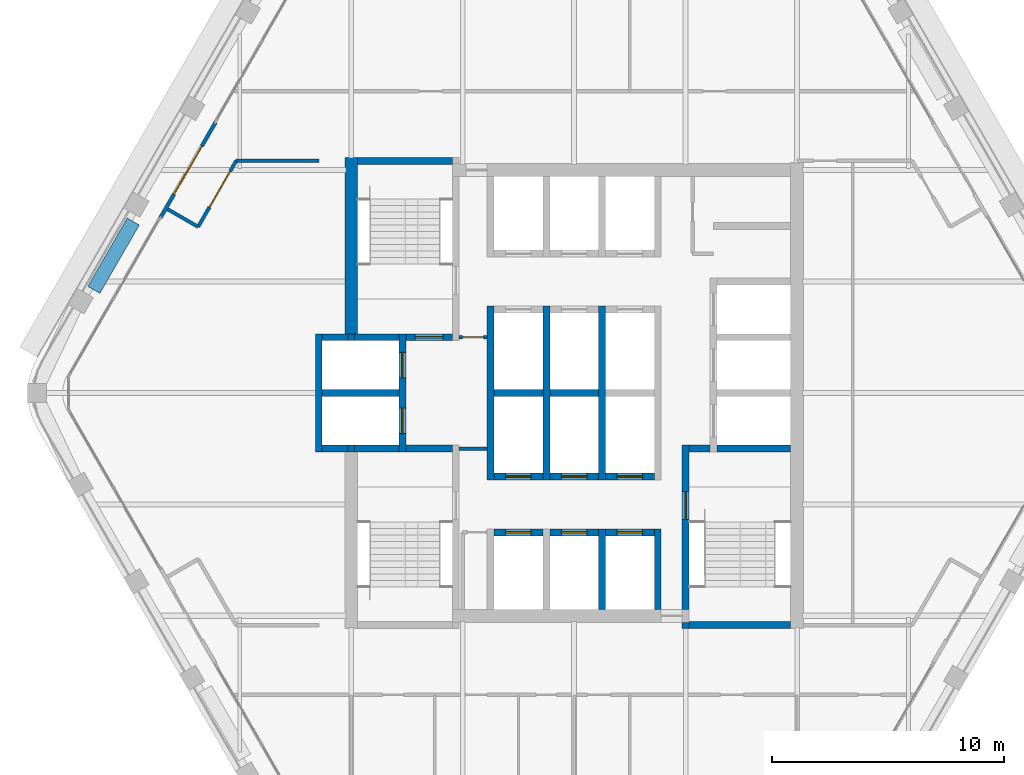
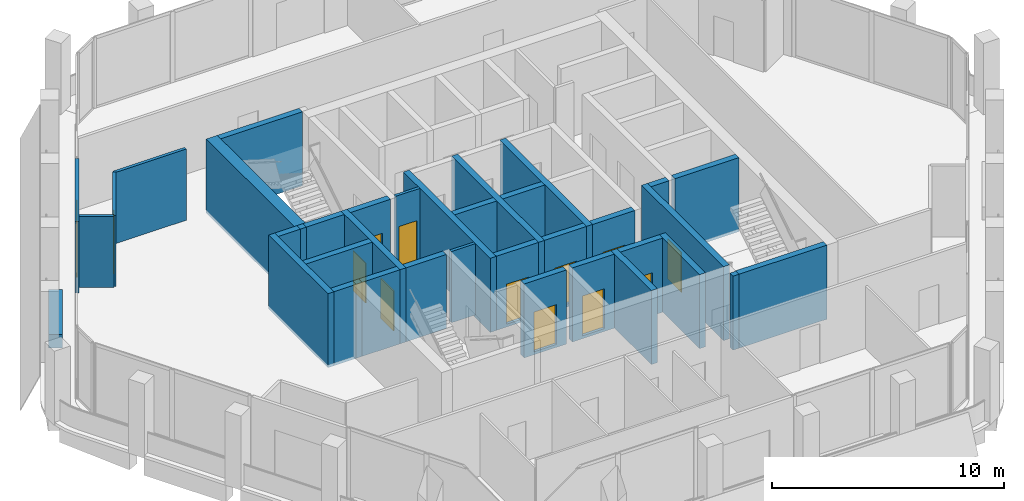
# One storey, part 8 of 13: 38 walls, 13 doors, 13 openings.
"""IFC4 building model written with IfcOpenShell, lengths in metres."""

from ifc_helpers import new_model, si_unit, direction, frame, frame_2d, origin, place, context, subcontext, project, spatial, rectangle, extrude, material, layer, layer_set, type_object, element, fill, save


model = new_model("IFC4")

# Units and contexts
model_context = context("Model", 3, precision=1e-05, world=origin(), true_north=direction((0.0, 1.0)))
body_context = subcontext(model_context, "Body", "Model", "MODEL_VIEW")
ifc_project = project(units=[si_unit("LENGTHUNIT", "METRE"), si_unit("AREAUNIT", "SQUARE_METRE"), si_unit("VOLUMEUNIT", "CUBIC_METRE"), si_unit("PLANEANGLEUNIT", "RADIAN"), si_unit("MASSUNIT", "GRAM", prefix="KILO")], contexts=[model_context])

# Site, building, storey
site_placement = place(None, origin())
site = spatial("IfcSite", under=ifc_project, at=site_placement, CompositionType="ELEMENT")
building_placement = place(site_placement, origin())
building = spatial("IfcBuilding", under=site, at=building_placement, Name="Kolab Exchange Tower", CompositionType="ELEMENT")
storey_placement = place(building_placement, frame((0.0, 0.0, 277.39990234375)))
storey = spatial("IfcBuildingStorey", under=building, at=storey_placement, Name="L62", CompositionType="ELEMENT", Elevation=277.39990234375)

# Wall
ifc_material_1 = material(Name="Concrete C50/60", Category="concrete")
ifc_layer_1 = layer(ifc_material_1, 0.550048828125)
ifc_layer_set_1 = layer_set([ifc_layer_1], Name="Concrete C50/60")
wall_type_1 = type_object("IfcWallType", Name="CORE WALL 550 C50/60", PredefinedType="SHEAR", material=ifc_layer_set_1)
wall_1_placement = place(storey_placement, frame((-9.60009765625, 2.550048828125, -0.14990234375), z_axis=(0.0, 0.0, 1.0), x_axis=(0.0, 1.0, 0.0)))
element("IfcWall", 1, at=wall_1_placement, inside=storey, type_object=wall_type_1, Name="wall/L62/core/037", PredefinedType="SHEAR", context=body_context, shape_type="SweptSolid", body=[
    extrude(rectangle(XDim=7.599853515625, YDim=0.550048828125, at=frame_2d((3.7998046875, 0.0))), origin(), (0.0, 0.0, 1.0), 3.89990234375),
])

# Wall, opening, door
ifc_material_2 = material(Name="Aluminium EN AW-6063 T6", Category="aluminium")
ifc_layer_2 = layer(ifc_material_2, 0.159912109375)
ifc_layer_set_2 = layer_set([ifc_layer_2], Name="Aluminium EN AW-6063 T6")
wall_type_2 = type_object("IfcWallType", Name="DOOR SURROUND WALL 160 ALUMINIUM FRAMED", PredefinedType="PARTITIONING", material=ifc_layer_set_2)
wall_2_placement = place(storey_placement, frame((-17.816650390625, 7.5498046875, 0.0), z_axis=(0.0, 0.0, 1.0), x_axis=(0.499978080042, 0.866038058908, 0.0)))
wall_2 = element("IfcWall", 2, at=wall_2_placement, inside=storey, type_object=wall_type_2, Name="Door surround wall", PredefinedType="PARTITIONING", context=body_context, shape_type="SweptSolid", body=[
    extrude(rectangle(XDim=4.739990234375, YDim=0.159912109375, at=frame_2d((2.3701171875, 0.0))), origin(), (0.0, 0.0, 1.0), 3.75),
])
opening_1_placement = place(wall_2_placement, frame((1.169921875, 0.0, 0.0)))
opening_1 = element("IfcOpeningElement", 3, at=opening_1_placement, cuts=wall_2, Name="Opening GD1-094", PredefinedType="OPENING", context=body_context, shape_type="SweptSolid", body=[
    extrude(rectangle(XDim=2.39990234375, YDim=2.39990234375, at=frame_2d((1.199951171875, 1.199951171875))), frame((0.0, 0.08984375, 0.0), z_axis=(0.0, -1.0, 0.0), x_axis=(1.0, 0.0, 0.0)), (0.0, 0.0, 1.0), 0.179931640625),
])
door_type_1 = type_object("IfcDoorType", Name="LOGGIA SLIDING GLASS DOOR 2400 X 2400", OperationType="DOUBLE_DOOR_SINGLE_SWING", PredefinedType="DOOR", material=ifc_material_2)
door_1_placement = place(opening_1_placement, origin())
door_1 = element("IfcDoor", 4, at=door_1_placement, inside=storey, type_object=door_type_1, Name="Loggia door", OperationType="DOUBLE_DOOR_SLIDING", OverallHeight=2.39990234375, OverallWidth=2.39990234375, PredefinedType="DOOR", context=body_context, shape_type="SweptSolid", body=[
    extrude(rectangle(XDim=2.39990234375, YDim=2.39990234375, at=frame_2d((1.199951171875, 1.199951171875))), frame((0.0, 0.02490234375, 0.0), z_axis=(0.0, -1.0, 0.0), x_axis=(1.0, 0.0, 0.0)), (0.0, 0.0, 1.0), 0.050048828125),
])
fill(opening_1, door_1)

ifc_layer_3 = layer(ifc_material_1, 0.300048828125)
ifc_layer_set_3 = layer_set([ifc_layer_3], Name="Concrete C50/60")
wall_type_3 = type_object("IfcWallType", Name="LIFT SHAFT WALL 300 C50/60", PredefinedType="STANDARD", material=ifc_layer_set_3)
wall_3_placement = place(storey_placement, frame((-3.449951171875, -6.0, -0.14990234375), z_axis=(0.0, 0.0, 1.0), x_axis=(1.0, 0.0, 0.0)))
wall_3 = element("IfcWall", 5, at=wall_3_placement, inside=storey, type_object=wall_type_3, Name="wall/L62/core/003", PredefinedType="STANDARD", context=body_context, shape_type="SweptSolid", body=[
    extrude(rectangle(XDim=2.099853515625, YDim=0.300048828125, at=frame_2d((1.0498046875, 0.0))), origin(), (0.0, 0.0, 1.0), 3.89990234375),
])
opening_2_placement = place(wall_3_placement, frame((0.5, 0.0, 0.14990234375)))
opening_2 = element("IfcOpeningElement", 6, at=opening_2_placement, cuts=wall_3, Name="Opening LD1-110", PredefinedType="OPENING", context=body_context, shape_type="SweptSolid", body=[
    extrude(rectangle(XDim=1.10009765625, YDim=2.10009765625, at=frame_2d((0.550048828125, 1.050048828125))), frame((0.0, 0.16015625, 0.0), z_axis=(0.0, -1.0, 0.0), x_axis=(1.0, 0.0, 0.0)), (0.0, 0.0, 1.0), 0.320068359375),
])
ifc_material_3 = material(Name="Stainless steel 316", Category="steel")
door_type_2 = type_object("IfcDoorType", Name="LANDING DOOR 1100 PASSENGER", OperationType="DOUBLE_DOOR_SLIDING", PredefinedType="DOOR", material=ifc_material_3)
door_2_placement = place(opening_2_placement, origin())
door_2 = element("IfcDoor", 7, at=door_2_placement, inside=storey, type_object=door_type_2, Name="Landing door HR10", OperationType="DOUBLE_DOOR_SLIDING", OverallHeight=2.10009765625, OverallWidth=1.10009765625, PredefinedType="DOOR", context=body_context, shape_type="SweptSolid", body=[
    extrude(rectangle(XDim=1.10009765625, YDim=2.10009765625, at=frame_2d((0.550048828125, 1.050048828125))), frame((0.0, 0.02490234375, 0.0), z_axis=(0.0, -1.0, 0.0), x_axis=(1.0, 0.0, 0.0)), (0.0, 0.0, 1.0), 0.050048828125),
])
fill(opening_2, door_2)

wall_4_placement = place(storey_placement, frame((-1.050048828125, -6.0, -0.14990234375), z_axis=(0.0, 0.0, 1.0), x_axis=(1.0, 0.0, 0.0)))
wall_4 = element("IfcWall", 8, at=wall_4_placement, inside=storey, type_object=wall_type_3, Name="wall/L62/core/004", PredefinedType="STANDARD", context=body_context, shape_type="SweptSolid", body=[
    extrude(rectangle(XDim=2.10009765625, YDim=0.300048828125, at=frame_2d((1.050048828125, 0.0))), origin(), (0.0, 0.0, 1.0), 3.89990234375),
])
opening_3_placement = place(wall_4_placement, frame((0.5, 0.0, 0.14990234375)))
opening_3 = element("IfcOpeningElement", 9, at=opening_3_placement, cuts=wall_4, Name="Opening LD1-111", PredefinedType="OPENING", context=body_context, shape_type="SweptSolid", body=[
    extrude(rectangle(XDim=1.10009765625, YDim=2.10009765625, at=frame_2d((0.550048828125, 1.050048828125))), frame((0.0, 0.16015625, 0.0), z_axis=(0.0, -1.0, 0.0), x_axis=(1.0, 0.0, 0.0)), (0.0, 0.0, 1.0), 0.320068359375),
])
door_3_placement = place(opening_3_placement, origin())
door_3 = element("IfcDoor", 10, at=door_3_placement, inside=storey, type_object=door_type_2, Name="Landing door HR11", OperationType="DOUBLE_DOOR_SLIDING", OverallHeight=2.10009765625, OverallWidth=1.10009765625, PredefinedType="DOOR", context=body_context, shape_type="SweptSolid", body=[
    extrude(rectangle(XDim=1.10009765625, YDim=2.10009765625, at=frame_2d((0.550048828125, 1.050048828125))), frame((0.0, 0.02490234375, 0.0), z_axis=(0.0, -1.0, 0.0), x_axis=(1.0, 0.0, 0.0)), (0.0, 0.0, 1.0), 0.050048828125),
])
fill(opening_3, door_3)

wall_5_placement = place(storey_placement, frame((1.35009765625, -6.0, -0.14990234375), z_axis=(0.0, 0.0, 1.0), x_axis=(1.0, 0.0, 0.0)))
wall_5 = element("IfcWall", 11, at=wall_5_placement, inside=storey, type_object=wall_type_3, Name="wall/L62/core/005", PredefinedType="STANDARD", context=body_context, shape_type="SweptSolid", body=[
    extrude(rectangle(XDim=2.099853515625, YDim=0.300048828125, at=frame_2d((1.0498046875, 0.0))), origin(), (0.0, 0.0, 1.0), 3.89990234375),
])
opening_4_placement = place(wall_5_placement, frame((0.5, 0.0, 0.14990234375)))
opening_4 = element("IfcOpeningElement", 12, at=opening_4_placement, cuts=wall_5, Name="Opening LD1-112", PredefinedType="OPENING", context=body_context, shape_type="SweptSolid", body=[
    extrude(rectangle(XDim=1.10009765625, YDim=2.10009765625, at=frame_2d((0.550048828125, 1.050048828125))), frame((0.0, 0.16015625, 0.0), z_axis=(0.0, -1.0, 0.0), x_axis=(1.0, 0.0, 0.0)), (0.0, 0.0, 1.0), 0.320068359375),
])
door_4_placement = place(opening_4_placement, origin())
door_4 = element("IfcDoor", 13, at=door_4_placement, inside=storey, type_object=door_type_2, Name="Landing door HR12", OperationType="DOUBLE_DOOR_SLIDING", OverallHeight=2.10009765625, OverallWidth=1.10009765625, PredefinedType="DOOR", context=body_context, shape_type="SweptSolid", body=[
    extrude(rectangle(XDim=1.10009765625, YDim=2.10009765625, at=frame_2d((0.550048828125, 1.050048828125))), frame((0.0, 0.02490234375, 0.0), z_axis=(0.0, -1.0, 0.0), x_axis=(1.0, 0.0, 0.0)), (0.0, 0.0, 1.0), 0.050048828125),
])
fill(opening_4, door_4)

wall_6_placement = place(storey_placement, frame((-3.449951171875, -3.60009765625, -0.14990234375), z_axis=(0.0, 0.0, 1.0), x_axis=(1.0, 0.0, 0.0)))
wall_6 = element("IfcWall", 14, at=wall_6_placement, inside=storey, type_object=wall_type_3, Name="wall/L62/core/006", PredefinedType="STANDARD", context=body_context, shape_type="SweptSolid", body=[
    extrude(rectangle(XDim=2.099853515625, YDim=0.300048828125, at=frame_2d((1.0498046875, 0.0))), origin(), (0.0, 0.0, 1.0), 3.89990234375),
])
opening_5_placement = place(wall_6_placement, frame((0.5, 0.0, 0.14990234375)))
opening_5 = element("IfcOpeningElement", 15, at=opening_5_placement, cuts=wall_6, Name="Opening LD1-118", PredefinedType="OPENING", context=body_context, shape_type="SweptSolid", body=[
    extrude(rectangle(XDim=1.10009765625, YDim=2.10009765625, at=frame_2d((0.550048828125, 1.050048828125))), frame((0.0, 0.16015625, 0.0), z_axis=(0.0, -1.0, 0.0), x_axis=(1.0, 0.0, 0.0)), (0.0, 0.0, 1.0), 0.320068359375),
])
door_5_placement = place(opening_5_placement, origin())
door_5 = element("IfcDoor", 16, at=door_5_placement, inside=storey, type_object=door_type_2, Name="Landing door HR7", OperationType="DOUBLE_DOOR_SLIDING", OverallHeight=2.10009765625, OverallWidth=1.10009765625, PredefinedType="DOOR", context=body_context, shape_type="SweptSolid", body=[
    extrude(rectangle(XDim=1.10009765625, YDim=2.10009765625, at=frame_2d((0.550048828125, 1.050048828125))), frame((0.0, 0.02490234375, 0.0), z_axis=(0.0, -1.0, 0.0), x_axis=(1.0, 0.0, 0.0)), (0.0, 0.0, 1.0), 0.050048828125),
])
fill(opening_5, door_5)

wall_7_placement = place(storey_placement, frame((-1.050048828125, -3.60009765625, -0.14990234375), z_axis=(0.0, 0.0, 1.0), x_axis=(1.0, 0.0, 0.0)))
wall_7 = element("IfcWall", 17, at=wall_7_placement, inside=storey, type_object=wall_type_3, Name="wall/L62/core/007", PredefinedType="STANDARD", context=body_context, shape_type="SweptSolid", body=[
    extrude(rectangle(XDim=2.10009765625, YDim=0.300048828125, at=frame_2d((1.050048828125, 0.0))), origin(), (0.0, 0.0, 1.0), 3.89990234375),
])
opening_6_placement = place(wall_7_placement, frame((0.5, 0.0, 0.14990234375)))
opening_6 = element("IfcOpeningElement", 18, at=opening_6_placement, cuts=wall_7, Name="Opening LD1-119", PredefinedType="OPENING", context=body_context, shape_type="SweptSolid", body=[
    extrude(rectangle(XDim=1.10009765625, YDim=2.10009765625, at=frame_2d((0.550048828125, 1.050048828125))), frame((0.0, 0.16015625, 0.0), z_axis=(0.0, -1.0, 0.0), x_axis=(1.0, 0.0, 0.0)), (0.0, 0.0, 1.0), 0.320068359375),
])
door_6_placement = place(opening_6_placement, origin())
door_6 = element("IfcDoor", 19, at=door_6_placement, inside=storey, type_object=door_type_2, Name="Landing door HR8", OperationType="DOUBLE_DOOR_SLIDING", OverallHeight=2.10009765625, OverallWidth=1.10009765625, PredefinedType="DOOR", context=body_context, shape_type="SweptSolid", body=[
    extrude(rectangle(XDim=1.10009765625, YDim=2.10009765625, at=frame_2d((0.550048828125, 1.050048828125))), frame((0.0, 0.02490234375, 0.0), z_axis=(0.0, -1.0, 0.0), x_axis=(1.0, 0.0, 0.0)), (0.0, 0.0, 1.0), 0.050048828125),
])
fill(opening_6, door_6)

wall_8_placement = place(storey_placement, frame((1.35009765625, -3.60009765625, -0.14990234375), z_axis=(0.0, 0.0, 1.0), x_axis=(1.0, 0.0, 0.0)))
wall_8 = element("IfcWall", 20, at=wall_8_placement, inside=storey, type_object=wall_type_3, Name="wall/L62/core/008", PredefinedType="STANDARD", context=body_context, shape_type="SweptSolid", body=[
    extrude(rectangle(XDim=2.099853515625, YDim=0.300048828125, at=frame_2d((1.0498046875, 0.0))), origin(), (0.0, 0.0, 1.0), 3.89990234375),
])
opening_7_placement = place(wall_8_placement, frame((0.5, 0.0, 0.14990234375)))
opening_7 = element("IfcOpeningElement", 21, at=opening_7_placement, cuts=wall_8, Name="Opening LD1-120", PredefinedType="OPENING", context=body_context, shape_type="SweptSolid", body=[
    extrude(rectangle(XDim=1.10009765625, YDim=2.10009765625, at=frame_2d((0.550048828125, 1.050048828125))), frame((0.0, 0.16015625, 0.0), z_axis=(0.0, -1.0, 0.0), x_axis=(1.0, 0.0, 0.0)), (0.0, 0.0, 1.0), 0.320068359375),
])
door_7_placement = place(opening_7_placement, origin())
door_7 = element("IfcDoor", 22, at=door_7_placement, inside=storey, type_object=door_type_2, Name="Landing door HR9", OperationType="DOUBLE_DOOR_SLIDING", OverallHeight=2.10009765625, OverallWidth=1.10009765625, PredefinedType="DOOR", context=body_context, shape_type="SweptSolid", body=[
    extrude(rectangle(XDim=1.10009765625, YDim=2.10009765625, at=frame_2d((0.550048828125, 1.050048828125))), frame((0.0, 0.02490234375, 0.0), z_axis=(0.0, -1.0, 0.0), x_axis=(1.0, 0.0, 0.0)), (0.0, 0.0, 1.0), 0.050048828125),
])
fill(opening_7, door_7)

# Walls
wall_9_placement = place(storey_placement, frame((-10.85009765625, -2.39990234375, -0.14990234375), z_axis=(0.0, 0.0, 1.0), x_axis=(1.0, 0.0, 0.0)))
element("IfcWall", 23, at=wall_9_placement, inside=storey, type_object=wall_type_3, Name="wall/L62/core/009", PredefinedType="STANDARD", context=body_context, shape_type="SweptSolid", body=[
    extrude(rectangle(XDim=1.10009765625, YDim=0.300048828125, at=frame_2d((0.550048828125, 0.0))), origin(), (0.0, 0.0, 1.0), 3.89990234375),
])
wall_10_placement = place(storey_placement, frame((-10.85009765625, 0.0, -0.14990234375), z_axis=(0.0, 0.0, 1.0), x_axis=(1.0, 0.0, 0.0)))
element("IfcWall", 24, at=wall_10_placement, inside=storey, type_object=wall_type_3, Name="wall/L62/core/014", PredefinedType="STANDARD", context=body_context, shape_type="SweptSolid", body=[
    extrude(rectangle(XDim=3.300048828125, YDim=0.300048828125, at=frame_2d((1.64990234375, 0.0))), origin(), (0.0, 0.0, 1.0), 3.89990234375),
])
wall_11_placement = place(storey_placement, frame((-3.449951171875, 0.0, -0.14990234375), z_axis=(0.0, 0.0, 1.0), x_axis=(1.0, 0.0, 0.0)))
element("IfcWall", 25, at=wall_11_placement, inside=storey, type_object=wall_type_3, Name="wall/L62/core/015", PredefinedType="STANDARD", context=body_context, shape_type="SweptSolid", body=[
    extrude(rectangle(XDim=2.099853515625, YDim=0.300048828125, at=frame_2d((1.0498046875, 0.0))), origin(), (0.0, 0.0, 1.0), 3.89990234375),
])
wall_12_placement = place(storey_placement, frame((-1.050048828125, 0.0, -0.14990234375), z_axis=(0.0, 0.0, 1.0), x_axis=(1.0, 0.0, 0.0)))
element("IfcWall", 26, at=wall_12_placement, inside=storey, type_object=wall_type_3, Name="wall/L62/core/016", PredefinedType="STANDARD", context=body_context, shape_type="SweptSolid", body=[
    extrude(rectangle(XDim=2.10009765625, YDim=0.300048828125, at=frame_2d((1.050048828125, 0.0))), origin(), (0.0, 0.0, 1.0), 3.89990234375),
])
wall_13_placement = place(storey_placement, frame((-10.85009765625, 2.39990234375, -0.14990234375), z_axis=(0.0, 0.0, 1.0), x_axis=(1.0, 0.0, 0.0)))
element("IfcWall", 27, at=wall_13_placement, inside=storey, type_object=wall_type_3, Name="wall/L62/core/019", PredefinedType="STANDARD", context=body_context, shape_type="SweptSolid", body=[
    extrude(rectangle(XDim=1.10009765625, YDim=0.300048828125, at=frame_2d((0.550048828125, 0.0))), origin(), (0.0, 0.0, 1.0), 3.89990234375),
])
wall_14_placement = place(storey_placement, frame((-11.0, -2.550048828125, -0.14990234375), z_axis=(0.0, 0.0, 1.0), x_axis=(0.0, 1.0, 0.0)))
element("IfcWall", 28, at=wall_14_placement, inside=storey, type_object=wall_type_3, Name="wall/L62/core/033", PredefinedType="STANDARD", context=body_context, shape_type="SweptSolid", body=[
    extrude(rectangle(XDim=5.10009765625, YDim=0.300048828125, at=frame_2d((2.550048828125, 0.0))), origin(), (0.0, 0.0, 1.0), 3.89990234375),
])

# Wall, openings, doors
wall_15_placement = place(storey_placement, frame((-7.39990234375, -2.550048828125, -0.14990234375), z_axis=(0.0, 0.0, 1.0), x_axis=(0.0, 1.0, 0.0)))
wall_15 = element("IfcWall", 29, at=wall_15_placement, inside=storey, type_object=wall_type_3, Name="wall/L62/core/038", PredefinedType="STANDARD", context=body_context, shape_type="SweptSolid", body=[
    extrude(rectangle(XDim=5.10009765625, YDim=0.300048828125, at=frame_2d((2.550048828125, 0.0))), origin(), (0.0, 0.0, 1.0), 3.89990234375),
])
opening_8_placement = place(wall_15_placement, frame((0.800048828125, 0.0, 0.14990234375)))
opening_8 = element("IfcOpeningElement", 30, at=opening_8_placement, cuts=wall_15, Name="Opening LD2-025", PredefinedType="OPENING", context=body_context, shape_type="SweptSolid", body=[
    extrude(rectangle(XDim=1.10009765625, YDim=2.10009765625, at=frame_2d((0.550048828125, 1.050048828125))), frame((0.0, 0.16015625, 0.0), z_axis=(0.0, -1.0, 0.0), x_axis=(1.0, 0.0, 0.0)), (0.0, 0.0, 1.0), 0.320068359375),
])
opening_9_placement = place(wall_15_placement, frame((3.199951171875, 0.0, 0.14990234375)))
opening_9 = element("IfcOpeningElement", 31, at=opening_9_placement, cuts=wall_15, Name="Opening LD2-026", PredefinedType="OPENING", context=body_context, shape_type="SweptSolid", body=[
    extrude(rectangle(XDim=1.10009765625, YDim=2.10009765625, at=frame_2d((0.550048828125, 1.050048828125))), frame((0.0, 0.16015625, 0.0), z_axis=(0.0, -1.0, 0.0), x_axis=(1.0, 0.0, 0.0)), (0.0, 0.0, 1.0), 0.320068359375),
])
door_type_3 = type_object("IfcDoorType", Name="LANDING DOOR 1100 FIREFIGHTING", OperationType="DOUBLE_DOOR_SLIDING", PredefinedType="DOOR", material=ifc_material_3)
door_8_placement = place(opening_8_placement, origin())
door_8 = element("IfcDoor", 32, at=door_8_placement, inside=storey, type_object=door_type_3, Name="Landing door FF1", OperationType="DOUBLE_DOOR_SLIDING", OverallHeight=2.10009765625, OverallWidth=1.10009765625, PredefinedType="DOOR", context=body_context, shape_type="SweptSolid", body=[
    extrude(rectangle(XDim=1.10009765625, YDim=2.10009765625, at=frame_2d((0.550048828125, 1.050048828125))), frame((0.0, 0.02490234375, 0.0), z_axis=(0.0, -1.0, 0.0), x_axis=(1.0, 0.0, 0.0)), (0.0, 0.0, 1.0), 0.050048828125),
])
fill(opening_8, door_8)
door_9_placement = place(opening_9_placement, origin())
door_9 = element("IfcDoor", 33, at=door_9_placement, inside=storey, type_object=door_type_3, Name="Landing door FF2", OperationType="DOUBLE_DOOR_SLIDING", OverallHeight=2.10009765625, OverallWidth=1.10009765625, PredefinedType="DOOR", context=body_context, shape_type="SweptSolid", body=[
    extrude(rectangle(XDim=1.10009765625, YDim=2.10009765625, at=frame_2d((0.550048828125, 1.050048828125))), frame((0.0, 0.02490234375, 0.0), z_axis=(0.0, -1.0, 0.0), x_axis=(1.0, 0.0, 0.0)), (0.0, 0.0, 1.0), 0.050048828125),
])
fill(opening_9, door_9)

# Walls
for number, where, z_axis, x_axis, name in (
    (34, (-3.60009765625, -3.75, -0.14990234375), (0.0, 0.0, 1.0), (0.0, 1.0, 0.0), "wall/L62/core/044"),
    (35, (-1.199951171875, -3.75, -0.14990234375), (0.0, 0.0, 1.0), (0.0, 1.0, 0.0), "wall/L62/core/047"),
):
    element("IfcWall", number, at=place(storey_placement, frame(where, z_axis=z_axis, x_axis=x_axis)), inside=storey, type_object=wall_type_3, Name=name, PredefinedType="STANDARD", context=body_context, shape_type="SweptSolid", body=[
        extrude(rectangle(XDim=7.5, YDim=0.300048828125, at=frame_2d((3.75, 0.0))), origin(), (0.0, 0.0, 1.0), 3.89990234375),
    ])
wall_16_placement = place(storey_placement, frame((1.199951171875, -9.324951171875, -0.14990234375), z_axis=(0.0, 0.0, 1.0), x_axis=(0.0, 1.0, 0.0)))
element("IfcWall", 36, at=wall_16_placement, inside=storey, type_object=wall_type_3, Name="wall/L62/core/049", PredefinedType="STANDARD", context=body_context, shape_type="SweptSolid", body=[
    extrude(rectangle(XDim=3.474853515625, YDim=0.300048828125, at=frame_2d((1.7373046875, 0.0))), origin(), (0.0, 0.0, 1.0), 3.89990234375),
])
wall_17_placement = place(storey_placement, frame((1.199951171875, -3.75, -0.14990234375), z_axis=(0.0, 0.0, 1.0), x_axis=(0.0, 1.0, 0.0)))
element("IfcWall", 37, at=wall_17_placement, inside=storey, type_object=wall_type_3, Name="wall/L62/core/050", PredefinedType="STANDARD", context=body_context, shape_type="SweptSolid", body=[
    extrude(rectangle(XDim=7.5, YDim=0.300048828125, at=frame_2d((3.75, 0.0))), origin(), (0.0, 0.0, 1.0), 3.89990234375),
])
wall_18_placement = place(storey_placement, frame((3.60009765625, -9.324951171875, -0.14990234375), z_axis=(0.0, 0.0, 1.0), x_axis=(0.0, 1.0, 0.0)))
element("IfcWall", 38, at=wall_18_placement, inside=storey, type_object=wall_type_3, Name="wall/L62/core/052", PredefinedType="STANDARD", context=body_context, shape_type="SweptSolid", body=[
    extrude(rectangle(XDim=3.474853515625, YDim=0.300048828125, at=frame_2d((1.7373046875, 0.0))), origin(), (0.0, 0.0, 1.0), 3.89990234375),
])

# Wall, opening, door
ifc_material_4 = material(Name="Gypsum board", Category="gypsum")
ifc_layer_4 = layer(ifc_material_4, 0.14990234375)
ifc_layer_set_4 = layer_set([ifc_layer_4], Name="Gypsum board")
wall_type_4 = type_object("IfcWallType", Name="PARTITION 150 FIRE-RATED", PredefinedType="PARTITIONING", material=ifc_layer_set_4)
wall_19_placement = place(storey_placement, frame((-16.196044921875, 7.15673828125, 0.0), z_axis=(0.0, 0.0, 1.0), x_axis=(0.499954196102, 0.866051847062, 0.0)))
wall_19 = element("IfcWall", 39, at=wall_19_placement, inside=storey, type_object=wall_type_4, Name="Partition 013", PredefinedType="PARTITIONING", context=body_context, shape_type="SweptSolid", body=[
    extrude(rectangle(XDim=3.282958984375, YDim=0.14990234375, at=frame_2d((1.6416015625, 0.0))), origin(), (0.0, 0.0, 1.0), 3.75),
])
opening_10_placement = place(wall_19_placement, frame((0.968994140625, 0.0, 0.0)))
opening_10 = element("IfcOpeningElement", 40, at=opening_10_placement, cuts=wall_19, Name="Opening D2-075", PredefinedType="OPENING", context=body_context, shape_type="SweptSolid", body=[
    extrude(rectangle(XDim=1.800048828125, YDim=2.10009765625, at=frame_2d((0.89990234375, 1.050048828125))), frame((0.0, 0.0849609375, 0.0), z_axis=(0.0, -1.0, 0.0), x_axis=(1.0, 0.0, 0.0)), (0.0, 0.0, 1.0), 0.169921875),
])
ifc_material_5 = material(Name="Steel S235", Category="steel")
door_type_4 = type_object("IfcDoorType", Name="DOUBLE DOOR 1800 FD60", OperationType="DOUBLE_DOOR_SINGLE_SWING", PredefinedType="DOOR", material=ifc_material_5)
door_10_placement = place(opening_10_placement, frame((1.800048828125, 0.0, 0.0), z_axis=(0.0, 0.0, 1.0), x_axis=(-1.0, 0.0, 0.0)))
door_10 = element("IfcDoor", 41, at=door_10_placement, inside=storey, type_object=door_type_4, Name="Door L62-039", OperationType="SINGLE_SWING_RIGHT", OverallHeight=2.10009765625, OverallWidth=1.800048828125, PredefinedType="DOOR", context=body_context, shape_type="SweptSolid", body=[
    extrude(rectangle(XDim=1.800048828125, YDim=2.10009765625, at=frame_2d((0.89990234375, 1.050048828125))), frame((0.0, 0.02490234375, 0.0), z_axis=(0.0, -1.0, 0.0), x_axis=(1.0, 0.0, 0.0)), (0.0, 0.0, 1.0), 0.050048828125),
])
fill(opening_10, door_10)

# Walls
wall_20_placement = place(storey_placement, frame((-17.512451171875, 7.9169921875, 0.0), z_axis=(0.0, 0.0, 1.0), x_axis=(0.865960906633, -0.500111695708, 0.0)))
element("IfcWall", 42, at=wall_20_placement, inside=storey, type_object=wall_type_4, Name="Partition 014", PredefinedType="PARTITIONING", context=body_context, shape_type="SweptSolid", body=[
    extrude(rectangle(XDim=1.520263671875, YDim=0.14990234375, at=frame_2d((0.76025390625, 0.0))), origin(), (0.0, 0.0, 1.0), 3.75),
])
wall_21_placement = place(storey_placement, frame((-14.5546875, 10.0, 0.0), z_axis=(0.0, 0.0, 1.0), x_axis=(1.0, 0.0, 0.0)))
element("IfcWall", 43, at=wall_21_placement, inside=storey, type_object=wall_type_4, Name="Partition 024", PredefinedType="PARTITIONING", context=body_context, shape_type="SweptSolid", body=[
    extrude(rectangle(XDim=3.5546875, YDim=0.14990234375, at=frame_2d((1.77734375, 0.0))), origin(), (0.0, 0.0, 1.0), 3.75),
])

# Wall, opening, door
wall_22_placement = place(storey_placement, frame((-4.949951171875, 2.39990234375, 0.0), z_axis=(0.0, 0.0, 1.0), x_axis=(1.0, 0.0, 0.0)))
wall_22 = element("IfcWall", 44, at=wall_22_placement, inside=storey, type_object=wall_type_4, Name="Fire partition", PredefinedType="PARTITIONING", context=body_context, shape_type="SweptSolid", body=[
    extrude(rectangle(XDim=1.199951171875, YDim=0.14990234375, at=frame_2d((0.60009765625, 0.0))), origin(), (0.0, 0.0, 1.0), 3.75),
])
opening_11_placement = place(wall_22_placement, frame((0.14990234375, 0.0, 0.0)))
opening_11 = element("IfcOpeningElement", 45, at=opening_11_placement, cuts=wall_22, Name="Opening D6-288", PredefinedType="OPENING", context=body_context, shape_type="SweptSolid", body=[
    extrude(rectangle(XDim=0.89990234375, YDim=2.10009765625, at=frame_2d((0.449951171875, 1.050048828125))), frame((0.0, 0.0849609375, 0.0), z_axis=(0.0, -1.0, 0.0), x_axis=(1.0, 0.0, 0.0)), (0.0, 0.0, 1.0), 0.169921875),
])
door_type_5 = type_object("IfcDoorType", Name="CORE DOOR 900 EI 120", OperationType="SINGLE_SWING_LEFT", PredefinedType="DOOR", material=ifc_material_5)
door_11_placement = place(opening_11_placement, frame((0.89990234375, 0.0, 0.0), z_axis=(0.0, 0.0, 1.0), x_axis=(-1.0, 0.0, 0.0)))
door_11 = element("IfcDoor", 46, at=door_11_placement, inside=storey, type_object=door_type_5, Name="Firefighting lobby door", OperationType="SINGLE_SWING_RIGHT", OverallHeight=2.10009765625, OverallWidth=0.89990234375, PredefinedType="DOOR", context=body_context, shape_type="SweptSolid", body=[
    extrude(rectangle(XDim=0.89990234375, YDim=2.10009765625, at=frame_2d((0.449951171875, 1.050048828125))), frame((0.0, 0.02490234375, 0.0), z_axis=(0.0, -1.0, 0.0), x_axis=(1.0, 0.0, 0.0)), (0.0, 0.0, 1.0), 0.050048828125),
])
fill(opening_11, door_11)

# Walls
wall_23_placement = place(storey_placement, frame((-4.949951171875, -2.39990234375, 0.0), z_axis=(0.0, 0.0, 1.0), x_axis=(1.0, 0.0, 0.0)))
element("IfcWall", 47, at=wall_23_placement, inside=storey, type_object=wall_type_4, Name="Fire partition", PredefinedType="PARTITIONING", context=body_context, shape_type="SweptSolid", body=[
    extrude(rectangle(XDim=1.199951171875, YDim=0.14990234375, at=frame_2d((0.60009765625, 0.0))), origin(), (0.0, 0.0, 1.0), 3.75),
])
ifc_material_6 = material(Name="Granite facing", Category="masonry")
ifc_layer_5 = layer(ifc_material_6, 0.0400390625)
ifc_material_7 = material(Name="Concrete C40/50 precast", Category="concrete")
ifc_layer_6 = layer(ifc_material_7, 0.56005859375)
ifc_layer_set_5 = layer_set([ifc_layer_5, ifc_layer_6], Name="Concrete C40/50 precast")
wall_type_5 = type_object("IfcWallType", Name="PLANTER BOX 600 X 700 SOIL DEPTH 550", PredefinedType="USERDEFINED", material=ifc_layer_set_5)
wall_24_placement = place(storey_placement, frame((-20.68701171875, 4.438232421875, 0.0), z_axis=(0.0, 0.0, 1.0), x_axis=(0.500008388397, 0.866020560687, 0.0)))
element("IfcWall", 48, at=wall_24_placement, inside=storey, type_object=wall_type_5, Name="Planter", ObjectType="PLANTER", PredefinedType="USERDEFINED", context=body_context, shape_type="SweptSolid", body=[
    extrude(rectangle(XDim=3.39990234375, YDim=0.60009765625, at=frame_2d((1.699951171875, 0.0))), origin(), (0.0, 0.0, 1.0), 0.7001953125),
])
ifc_layer_7 = layer(ifc_material_1, 0.300048828125)
ifc_layer_set_6 = layer_set([ifc_layer_7], Name="Concrete C50/60")
wall_type_6 = type_object("IfcWallType", Name="STAIR ENCLOSURE WALL 300 C50/60", PredefinedType="STANDARD", material=ifc_layer_set_6)
wall_25_placement = place(storey_placement, frame((4.949951171875, -10.0, -0.14990234375), z_axis=(0.0, 0.0, 1.0), x_axis=(1.0, 0.0, 0.0)))
element("IfcWall", 49, at=wall_25_placement, inside=storey, type_object=wall_type_6, Name="wall/L62/core/001", PredefinedType="STANDARD", context=body_context, shape_type="SweptSolid", body=[
    extrude(rectangle(XDim=4.375, YDim=0.300048828125, at=frame_2d((2.1875, 0.0))), origin(), (0.0, 0.0, 1.0), 3.89990234375),
])
wall_26_placement = place(storey_placement, frame((-9.449951171875, -2.39990234375, -0.14990234375), z_axis=(0.0, 0.0, 1.0), x_axis=(1.0, 0.0, 0.0)))
element("IfcWall", 50, at=wall_26_placement, inside=storey, type_object=wall_type_6, Name="wall/L62/core/010", PredefinedType="STANDARD", context=body_context, shape_type="SweptSolid", body=[
    extrude(rectangle(XDim=1.89990234375, YDim=0.300048828125, at=frame_2d((0.949951171875, 0.0))), origin(), (0.0, 0.0, 1.0), 3.89990234375),
])
wall_27_placement = place(storey_placement, frame((-7.25, -2.39990234375, -0.14990234375), z_axis=(0.0, 0.0, 1.0), x_axis=(1.0, 0.0, 0.0)))
element("IfcWall", 51, at=wall_27_placement, inside=storey, type_object=wall_type_6, Name="wall/L62/core/011", PredefinedType="STANDARD", context=body_context, shape_type="SweptSolid", body=[
    extrude(rectangle(XDim=2.0, YDim=0.300048828125, at=frame_2d((1.0, 0.0))), origin(), (0.0, 0.0, 1.0), 3.89990234375),
])
wall_28_placement = place(storey_placement, frame((4.949951171875, -2.39990234375, -0.14990234375), z_axis=(0.0, 0.0, 1.0), x_axis=(1.0, 0.0, 0.0)))
element("IfcWall", 52, at=wall_28_placement, inside=storey, type_object=wall_type_6, Name="wall/L62/core/012", PredefinedType="STANDARD", context=body_context, shape_type="SweptSolid", body=[
    extrude(rectangle(XDim=0.900146484375, YDim=0.300048828125, at=frame_2d((0.4501953125, 0.0))), origin(), (0.0, 0.0, 1.0), 3.89990234375),
])
wall_29_placement = place(storey_placement, frame((6.14990234375, -2.39990234375, -0.14990234375), z_axis=(0.0, 0.0, 1.0), x_axis=(1.0, 0.0, 0.0)))
element("IfcWall", 53, at=wall_29_placement, inside=storey, type_object=wall_type_6, Name="wall/L62/core/013", PredefinedType="STANDARD", context=body_context, shape_type="SweptSolid", body=[
    extrude(rectangle(XDim=3.175048828125, YDim=0.300048828125, at=frame_2d((1.58740234375, 0.0))), origin(), (0.0, 0.0, 1.0), 3.89990234375),
])
wall_30_placement = place(storey_placement, frame((-9.449951171875, 2.39990234375, -0.14990234375), z_axis=(0.0, 0.0, 1.0), x_axis=(1.0, 0.0, 0.0)))
element("IfcWall", 54, at=wall_30_placement, inside=storey, type_object=wall_type_6, Name="wall/L62/core/020", PredefinedType="STANDARD", context=body_context, shape_type="SweptSolid", body=[
    extrude(rectangle(XDim=1.89990234375, YDim=0.300048828125, at=frame_2d((0.949951171875, 0.0))), origin(), (0.0, 0.0, 1.0), 3.89990234375),
])

# Wall, opening, door
wall_31_placement = place(storey_placement, frame((-7.25, 2.39990234375, -0.14990234375), z_axis=(0.0, 0.0, 1.0), x_axis=(1.0, 0.0, 0.0)))
wall_31 = element("IfcWall", 55, at=wall_31_placement, inside=storey, type_object=wall_type_6, Name="wall/L62/core/021", PredefinedType="STANDARD", context=body_context, shape_type="SweptSolid", body=[
    extrude(rectangle(XDim=2.0, YDim=0.300048828125, at=frame_2d((1.0, 0.0))), origin(), (0.0, 0.0, 1.0), 3.89990234375),
])
opening_12_placement = place(wall_31_placement, frame((0.39990234375, 0.0, 0.14990234375)))
opening_12 = element("IfcOpeningElement", 56, at=opening_12_placement, cuts=wall_31, Name="Opening D4-065", PredefinedType="OPENING", context=body_context, shape_type="SweptSolid", body=[
    extrude(rectangle(XDim=1.199951171875, YDim=2.10009765625, at=frame_2d((0.60009765625, 1.050048828125))), frame((0.0, 0.16015625, 0.0), z_axis=(0.0, -1.0, 0.0), x_axis=(1.0, 0.0, 0.0)), (0.0, 0.0, 1.0), 0.320068359375),
])
door_type_6 = type_object("IfcDoorType", Name="STAIR DOOR 1200 EI 120", OperationType="SINGLE_SWING_LEFT", PredefinedType="DOOR", material=ifc_material_5)
door_12_placement = place(opening_12_placement, origin())
door_12 = element("IfcDoor", 57, at=door_12_placement, inside=storey, type_object=door_type_6, Name="Stair 1 door", OperationType="SINGLE_SWING_RIGHT", OverallHeight=2.10009765625, OverallWidth=1.199951171875, PredefinedType="DOOR", context=body_context, shape_type="SweptSolid", body=[
    extrude(rectangle(XDim=1.199951171875, YDim=2.10009765625, at=frame_2d((0.60009765625, 1.050048828125))), frame((0.0, 0.02490234375, 0.0), z_axis=(0.0, -1.0, 0.0), x_axis=(1.0, 0.0, 0.0)), (0.0, 0.0, 1.0), 0.050048828125),
])
fill(opening_12, door_12)

# Walls
wall_32_placement = place(storey_placement, frame((-9.324951171875, 10.0, -0.14990234375), z_axis=(0.0, 0.0, 1.0), x_axis=(1.0, 0.0, 0.0)))
element("IfcWall", 58, at=wall_32_placement, inside=storey, type_object=wall_type_6, Name="wall/L62/core/032", PredefinedType="STANDARD", context=body_context, shape_type="SweptSolid", body=[
    extrude(rectangle(XDim=4.074951171875, YDim=0.300048828125, at=frame_2d((2.03759765625, 0.0))), origin(), (0.0, 0.0, 1.0), 3.89990234375),
])
for number, where, z_axis, x_axis, name in (
    (59, (-9.60009765625, -2.550048828125, -0.14990234375), (0.0, 0.0, 1.0), (0.0, 1.0, 0.0), "wall/L62/core/035"),
    (60, (-9.60009765625, 2.25, -0.14990234375), (0.0, 0.0, 1.0), (0.0, 1.0, 0.0), "wall/L62/core/036"),
):
    element("IfcWall", number, at=place(storey_placement, frame(where, z_axis=z_axis, x_axis=x_axis)), inside=storey, type_object=wall_type_6, Name=name, PredefinedType="STANDARD", context=body_context, shape_type="SweptSolid", body=[
        extrude(rectangle(XDim=0.300048828125, YDim=0.300048828125, at=frame_2d((0.14990234375, 0.0))), origin(), (0.0, 0.0, 1.0), 3.89990234375),
    ])
wall_33_placement = place(storey_placement, frame((4.800048828125, -10.14990234375, -0.14990234375), z_axis=(0.0, 0.0, 1.0), x_axis=(0.0, 1.0, 0.0)))
element("IfcWall", 61, at=wall_33_placement, inside=storey, type_object=wall_type_6, Name="wall/L62/core/055", PredefinedType="STANDARD", context=body_context, shape_type="SweptSolid", body=[
    extrude(rectangle(XDim=0.27490234375, YDim=0.300048828125, at=frame_2d((0.137451171875, 0.0))), origin(), (0.0, 0.0, 1.0), 3.89990234375),
])

# Wall, opening, door
wall_34_placement = place(storey_placement, frame((4.800048828125, -9.324951171875, -0.14990234375), z_axis=(0.0, 0.0, 1.0), x_axis=(0.0, 1.0, 0.0)))
wall_34 = element("IfcWall", 62, at=wall_34_placement, inside=storey, type_object=wall_type_6, Name="wall/L62/core/056", PredefinedType="STANDARD", context=body_context, shape_type="SweptSolid", body=[
    extrude(rectangle(XDim=7.074951171875, YDim=0.300048828125, at=frame_2d((3.53759765625, 0.0))), origin(), (0.0, 0.0, 1.0), 3.89990234375),
])
opening_13_placement = place(wall_34_placement, frame((3.875, 0.0, 0.14990234375)))
opening_13 = element("IfcOpeningElement", 63, at=opening_13_placement, cuts=wall_34, Name="Opening D4-077", PredefinedType="OPENING", context=body_context, shape_type="SweptSolid", body=[
    extrude(rectangle(XDim=1.199951171875, YDim=2.10009765625, at=frame_2d((0.60009765625, 1.050048828125))), frame((0.0, 0.16015625, 0.0), z_axis=(0.0, -1.0, 0.0), x_axis=(1.0, 0.0, 0.0)), (0.0, 0.0, 1.0), 0.320068359375),
])
door_13_placement = place(opening_13_placement, frame((1.199951171875, 0.0, 0.0), z_axis=(0.0, 0.0, 1.0), x_axis=(-1.0, 0.0, 0.0)))
door_13 = element("IfcDoor", 64, at=door_13_placement, inside=storey, type_object=door_type_6, Name="Stair 2 door", OperationType="SINGLE_SWING_RIGHT", OverallHeight=2.10009765625, OverallWidth=1.199951171875, PredefinedType="DOOR", context=body_context, shape_type="SweptSolid", body=[
    extrude(rectangle(XDim=1.199951171875, YDim=2.10009765625, at=frame_2d((0.60009765625, 1.050048828125))), frame((0.0, 0.02490234375, 0.0), z_axis=(0.0, -1.0, 0.0), x_axis=(1.0, 0.0, 0.0)), (0.0, 0.0, 1.0), 0.050048828125),
])
fill(opening_13, door_13)

save(model, "model.ifc")
